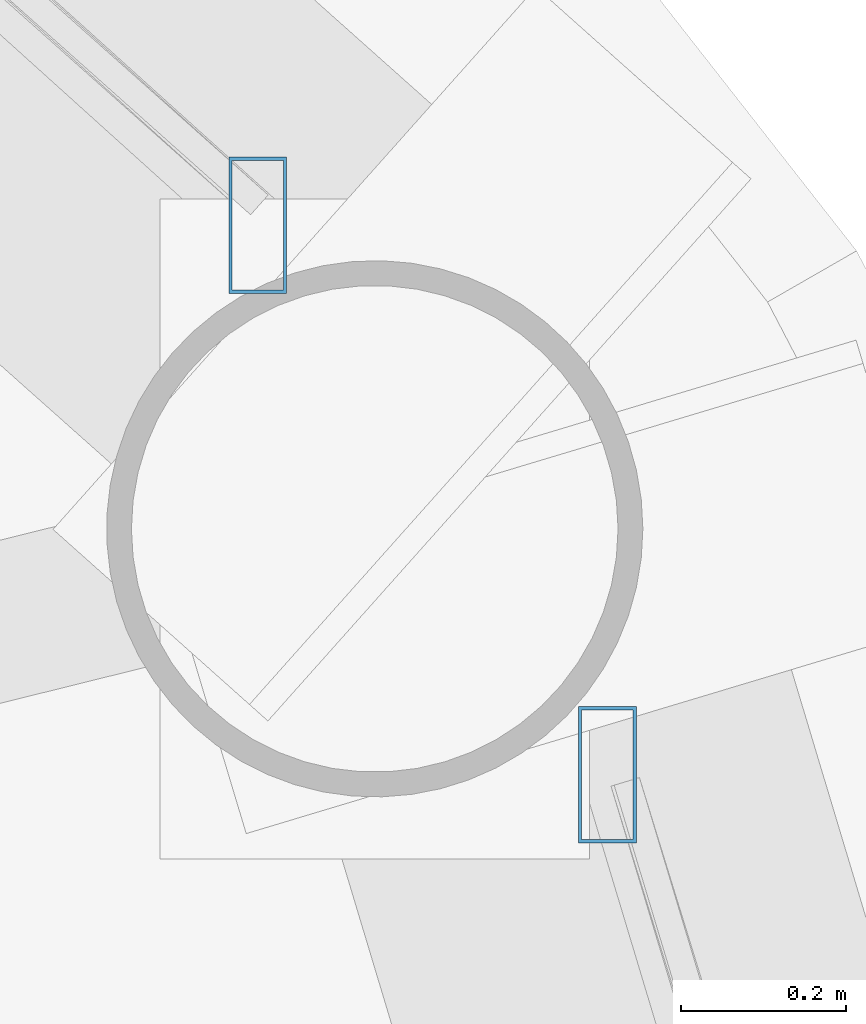
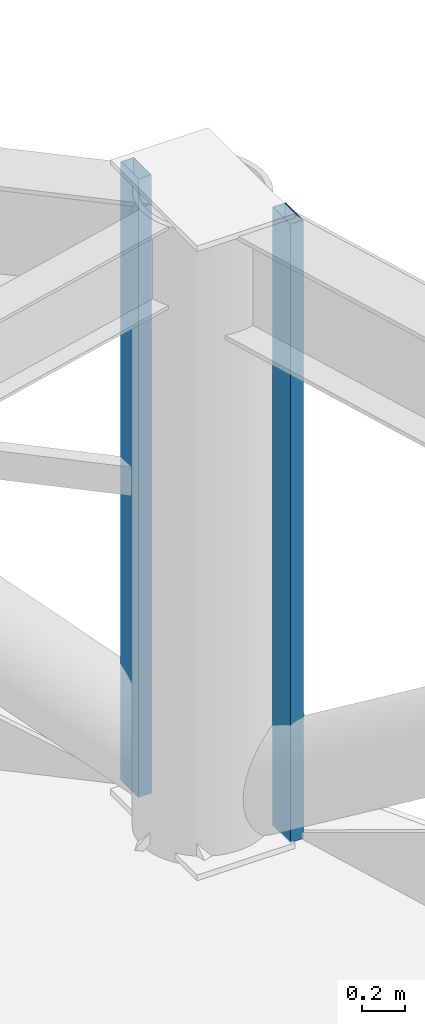
# One storey, part 15 of 29: 2 members, 2 elements without a shape of their own.
"""IFC4 building model written with IfcOpenShell, lengths in metres."""

from ifc_helpers import new_model, si_unit, direction, frame, origin, origin_2d, place, context, subcontext, project, spatial, hollow_rectangle, extrude, material, layer, layer_set, material_profile, profile_set, type_object, element, aggregate, save


model = new_model("IFC4")

# Units and contexts
model_context = context("Model", 3, precision=1e-05, world=origin(), true_north=direction((0.0, 1.0)))
body_context = subcontext(model_context, "Body", "Model", "MODEL_VIEW")
ifc_project = project(units=[si_unit("LENGTHUNIT", "METRE"), si_unit("AREAUNIT", "SQUARE_METRE"), si_unit("VOLUMEUNIT", "CUBIC_METRE"), si_unit("PLANEANGLEUNIT", "RADIAN"), si_unit("MASSUNIT", "GRAM", prefix="KILO")], contexts=[model_context])

# Site, building, storey
site_placement = place(None, origin())
site = spatial("IfcSite", under=ifc_project, at=site_placement, CompositionType="ELEMENT")
building_placement = place(site_placement, origin())
building = spatial("IfcBuilding", under=site, at=building_placement, Name="Vantalir Tower", CompositionType="ELEMENT")
storey_placement = place(building_placement, frame((0.0, 0.0, 219.89990234375)))
storey = spatial("IfcBuildingStorey", under=building, at=storey_placement, Name="L55", CompositionType="ELEMENT", Elevation=219.89990234375)

# Curtain wall, member
ifc_material_1 = material(Name="Champagne-silver PVDF aluminium and double-silver Low-E glass", Category="aluminium")
ifc_layer = layer(ifc_material_1, 0.2099609375)
ifc_layer_set = layer_set([ifc_layer], Name="Champagne-silver PVDF aluminium and double-silver Low-E glass")
curtain_wall_type = type_object("IfcCurtainWallType", Name="CW-DIAMOND-Z3", PredefinedType="USERDEFINED", material=ifc_layer_set)
curtain_wall_1_placement = place(storey_placement, origin())
curtain_wall_1 = element("IfcCurtainWall", 1, at=curtain_wall_1_placement, inside=storey, type_object=curtain_wall_type, Name="L55 Quilted Pyramid-Diamond Curtain Wall S01", ObjectType="UNITISED CURTAIN WALL", PredefinedType="USERDEFINED")
ifc_material_2 = material(Name="Champagne-silver PVDF aluminium 6063-T6", Category="aluminium")
ifc_material_profile = material_profile(ifc_material_2, hollow_rectangle(XDim=0.070068359375, YDim=0.1650390625, WallThickness=0.00390625, at=origin_2d()), Name="Champagne-silver PVDF aluminium 6063-T6")
ifc_profile_set = profile_set([ifc_material_profile], Name="Champagne-silver PVDF aluminium 6063-T6")
member_type = type_object("IfcMemberType", Name="CWM-165x70", PredefinedType="MULLION", material=ifc_profile_set)
member_1_placement = place(storey_placement, frame((50.845947265625, 34.5, 0.045166015625), z_axis=(0.0, 0.0, 1.0), x_axis=(1.0, 0.0, 0.0)))
member_1 = element("IfcMember", 2, at=member_1_placement, type_object=member_type, Name="CW-L55-S01 Mullion 2", PredefinedType="MULLION", context=body_context, shape_type="SweptSolid", body=[
    extrude(hollow_rectangle(XDim=0.070068359375, YDim=0.1650390625, WallThickness=0.00390625, at=origin_2d()), origin(), (0.0, 0.0, 1.0), 3.47998046875),
])
aggregate(curtain_wall_1, [member_1])

curtain_wall_2_placement = place(storey_placement, origin())
curtain_wall_2 = element("IfcCurtainWall", 3, at=curtain_wall_2_placement, inside=storey, type_object=curtain_wall_type, Name="L55 Quilted Pyramid-Diamond Curtain Wall S02", ObjectType="UNITISED CURTAIN WALL", PredefinedType="USERDEFINED")
member_2_placement = place(storey_placement, frame((50.422119140625, 35.166015625, 0.045166015625), z_axis=(0.0, 0.0, 1.0), x_axis=(1.0, 0.0, 0.0)))
member_2 = element("IfcMember", 4, at=member_2_placement, type_object=member_type, Name="CW-L55-S02 Mullion 1", PredefinedType="MULLION", context=body_context, shape_type="SweptSolid", body=[
    extrude(hollow_rectangle(XDim=0.070068359375, YDim=0.1650390625, WallThickness=0.00390625, at=origin_2d()), origin(), (0.0, 0.0, 1.0), 3.47998046875),
])
aggregate(curtain_wall_2, [member_2])

save(model, "model.ifc")
